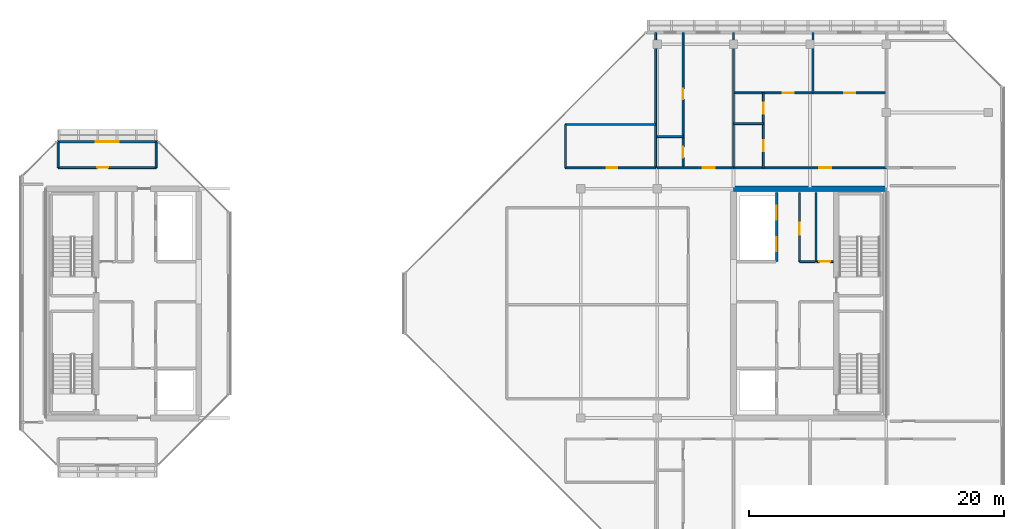
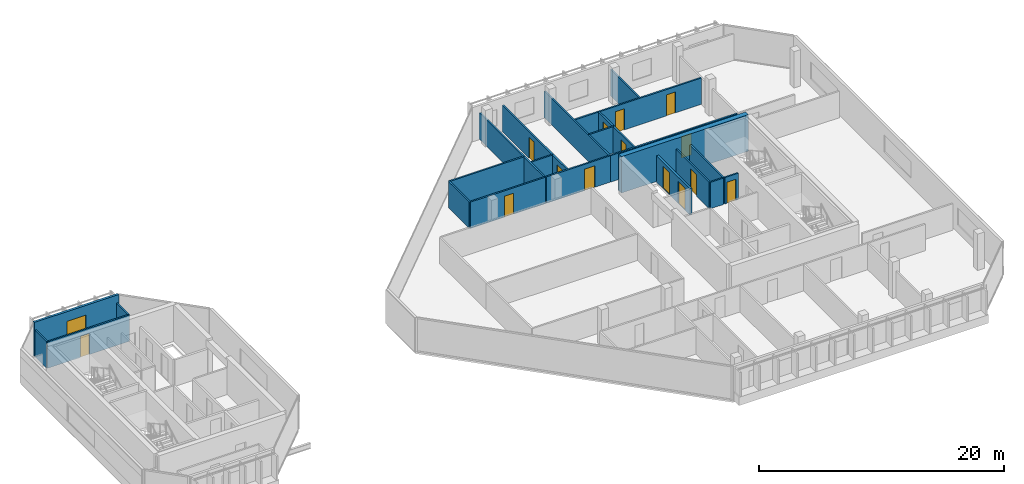
# One storey, part 23 of 28: 23 walls, 14 doors, 1 window, 15 openings.
"""IFC4 building model written with IfcOpenShell, lengths in metres."""

from ifc_helpers import new_model, si_unit, direction, frame, frame_2d, origin, place, context, subcontext, project, spatial, rectangle, extrude, material, layer, layer_set, type_object, element, fill, save


model = new_model("IFC4")

# Units and contexts
model_context = context("Model", 3, precision=1e-05, world=origin(), true_north=direction((0.0, 1.0)))
body_context = subcontext(model_context, "Body", "Model", "MODEL_VIEW")
ifc_project = project(units=[si_unit("LENGTHUNIT", "METRE"), si_unit("AREAUNIT", "SQUARE_METRE"), si_unit("VOLUMEUNIT", "CUBIC_METRE"), si_unit("PLANEANGLEUNIT", "RADIAN"), si_unit("MASSUNIT", "GRAM", prefix="KILO")], contexts=[model_context])

# Site, building, storey
site_placement = place(None, origin())
site = spatial("IfcSite", under=ifc_project, at=site_placement, CompositionType="ELEMENT")
building_placement = place(site_placement, origin())
building = spatial("IfcBuilding", under=site, at=building_placement, Name="Tanjung Sevakor Pilgrim Tower", CompositionType="ELEMENT")
storey_placement = place(building_placement, frame((0.0, 0.0, 242.550048828125)))
storey = spatial("IfcBuildingStorey", under=building, at=storey_placement, Name="L68", CompositionType="ELEMENT", Elevation=242.550048828125)

# Walls
ifc_material_1 = material(Name="Concrete C60/75", Category="concrete")
ifc_layer_1 = layer(ifc_material_1, 0.449951171875)
ifc_layer_set_1 = layer_set([ifc_layer_1], Name="WALL-CW-450")
wall_type_1 = type_object("IfcWallType", Name="WALL-CW-450", PredefinedType="SHEAR", material=ifc_layer_set_1)
wall_1_placement = place(storey_placement, frame((90.0, 42.60009765625, 0.0), z_axis=(0.0, 0.0, 1.0), x_axis=(-1.0, 0.0, 0.0)))
element("IfcWall", 1, at=wall_1_placement, inside=storey, type_object=wall_type_1, Name="L68 E Core North Shear Wall", PredefinedType="SHEAR", context=body_context, shape_type="SweptSolid", body=[
    extrude(rectangle(XDim=12.0, YDim=0.449951171875, at=frame_2d((6.0, 0.0))), origin(), (0.0, 0.0, 1.0), 3.6298828125),
])
ifc_material_2 = material(Name="Concrete C40/50", Category="concrete")
ifc_layer_2 = layer(ifc_material_2, 0.14990234375)
ifc_layer_set_2 = layer_set([ifc_layer_2], Name="WT-COMP-150")
wall_type_2 = type_object("IfcWallType", Name="WT-COMP-150", PredefinedType="SOLIDWALL", material=ifc_layer_set_2)
wall_2_placement = place(storey_placement, frame((84.47998046875, 36.8798828125, 0.0), z_axis=(0.0, 0.0, 1.0), x_axis=(0.0, 1.0, 0.0)))
element("IfcWall", 2, at=wall_2_placement, inside=storey, type_object=wall_type_2, Name="L68 Partition IW-L68-019", PredefinedType="SOLIDWALL", context=body_context, shape_type="SweptSolid", body=[
    extrude(rectangle(XDim=5.420166015625, YDim=0.14990234375, at=frame_2d((2.7099609375, 0.0))), origin(), (0.0, 0.0, 1.0), 2.6298828125),
])

# Wall, opening, door
wall_3_placement = place(storey_placement, frame((84.550048828125, 36.8798828125, 0.0), z_axis=(0.0, 0.0, 1.0), x_axis=(1.0, 0.0, 0.0)))
wall_3 = element("IfcWall", 3, at=wall_3_placement, inside=storey, type_object=wall_type_2, Name="L68 Partition IW-L68-020", PredefinedType="SOLIDWALL", context=body_context, shape_type="SweptSolid", body=[
    extrude(rectangle(XDim=1.280029296875, YDim=0.14990234375, at=frame_2d((0.64013671875, 0.0))), origin(), (0.0, 0.0, 1.0), 2.6298828125),
])
opening_1_placement = place(wall_3_placement, frame((0.179931640625, 0.0, 0.0)))
opening_1 = element("IfcOpeningElement", 4, at=opening_1_placement, cuts=wall_3, Name="Opening ID-FD3", PredefinedType="OPENING", context=body_context, shape_type="SweptSolid", body=[
    extrude(rectangle(XDim=0.85009765625, YDim=2.10009765625, at=frame_2d((0.425048828125, 1.050048828125))), frame((0.0, 0.0849609375, 0.0), z_axis=(0.0, -1.0, 0.0), x_axis=(1.0, 0.0, 0.0)), (0.0, 0.0, 1.0), 0.169921875),
])
ifc_material_3 = material(Name="Fire-Rated Timber", Category="wood")
door_type_1 = type_object("IfcDoorType", Name="DT-FIRE-850", OperationType="NOTDEFINED", PredefinedType="DOOR", material=ifc_material_3)
door_1_placement = place(opening_1_placement, origin())
door_1 = element("IfcDoor", 5, at=door_1_placement, inside=storey, type_object=door_type_1, Name="L68 Service Store Door", OperationType="SINGLE_SWING_RIGHT", OverallHeight=2.10009765625, OverallWidth=0.85009765625, PredefinedType="DOOR", context=body_context, shape_type="SweptSolid", body=[
    extrude(rectangle(XDim=0.85009765625, YDim=2.10009765625, at=frame_2d((0.425048828125, 1.050048828125))), frame((0.0, 0.02490234375, 0.0), z_axis=(0.0, -1.0, 0.0), x_axis=(1.0, 0.0, 0.0)), (0.0, 0.0, 1.0), 0.050048828125),
])
fill(opening_1, door_1)

# Wall
wall_4_placement = place(storey_placement, frame((83.199951171875, 36.8798828125, 0.0), z_axis=(0.0, 0.0, 1.0), x_axis=(1.0, 0.0, 0.0)))
element("IfcWall", 6, at=wall_4_placement, inside=storey, type_object=wall_type_2, Name="L68 Partition IW-L68-021", PredefinedType="SOLIDWALL", context=body_context, shape_type="SweptSolid", body=[
    extrude(rectangle(XDim=1.219970703125, YDim=0.14990234375, at=frame_2d((0.60986328125, 0.0))), origin(), (0.0, 0.0, 1.0), 2.6298828125),
])

# Wall, opening, door
wall_5_placement = place(storey_placement, frame((83.179931640625, 36.8798828125, 0.0), z_axis=(0.0, 0.0, 1.0), x_axis=(0.0, 1.0, 0.0)))
wall_5 = element("IfcWall", 7, at=wall_5_placement, inside=storey, type_object=wall_type_2, Name="L68 Partition IW-L68-022", PredefinedType="SOLIDWALL", context=body_context, shape_type="SweptSolid", body=[
    extrude(rectangle(XDim=5.420166015625, YDim=0.14990234375, at=frame_2d((2.7099609375, 0.0))), origin(), (0.0, 0.0, 1.0), 2.6298828125),
])
opening_2_placement = place(wall_5_placement, frame((2.10009765625, 0.0, 0.0)))
opening_2 = element("IfcOpeningElement", 8, at=opening_2_placement, cuts=wall_5, Name="Opening ID-FD2", PredefinedType="OPENING", context=body_context, shape_type="SweptSolid", body=[
    extrude(rectangle(XDim=0.949951171875, YDim=2.14990234375, at=frame_2d((0.47509765625, 1.074951171875))), frame((0.0, 0.0849609375, 0.0), z_axis=(0.0, -1.0, 0.0), x_axis=(1.0, 0.0, 0.0)), (0.0, 0.0, 1.0), 0.169921875),
])
ifc_material_4 = material(Name="Fire-Rated Timber", Category="wood")
door_type_2 = type_object("IfcDoorType", Name="DT-FIRE-950", OperationType="NOTDEFINED", PredefinedType="DOOR", material=ifc_material_4)
door_2_placement = place(opening_2_placement, origin())
door_2 = element("IfcDoor", 9, at=door_2_placement, inside=storey, type_object=door_type_2, Name="L68 Core Reading Room Door", OperationType="SINGLE_SWING_LEFT", OverallHeight=2.14990234375, OverallWidth=0.949951171875, PredefinedType="DOOR", context=body_context, shape_type="SweptSolid", body=[
    extrude(rectangle(XDim=0.949951171875, YDim=2.14990234375, at=frame_2d((0.47509765625, 1.074951171875))), frame((0.0, 0.02490234375, 0.0), z_axis=(0.0, -1.0, 0.0), x_axis=(1.0, 0.0, 0.0)), (0.0, 0.0, 1.0), 0.050048828125),
])
fill(opening_2, door_2)

wall_6_placement = place(storey_placement, frame((24.949951171875, 44.27001953125, 0.0), z_axis=(0.0, 0.0, 1.0), x_axis=(1.0, 0.0, 0.0)))
wall_6 = element("IfcWall", 10, at=wall_6_placement, inside=storey, type_object=wall_type_2, Name="L68 Partition IW-L68-030", PredefinedType="SOLIDWALL", context=body_context, shape_type="SweptSolid", body=[
    extrude(rectangle(XDim=7.699951171875, YDim=0.14990234375, at=frame_2d((3.85009765625, 0.0))), origin(), (0.0, 0.0, 1.0), 2.6298828125),
])
opening_3_placement = place(wall_6_placement, frame((3.074951171875, 0.0, 0.0)))
opening_3 = element("IfcOpeningElement", 11, at=opening_3_placement, cuts=wall_6, Name="Opening ID-WC1", PredefinedType="OPENING", context=body_context, shape_type="SweptSolid", body=[
    extrude(rectangle(XDim=0.85009765625, YDim=2.10009765625, at=frame_2d((0.425048828125, 1.050048828125))), frame((0.0, 0.0849609375, 0.0), z_axis=(0.0, -1.0, 0.0), x_axis=(1.0, 0.0, 0.0)), (0.0, 0.0, 1.0), 0.169921875),
])
ifc_material_5 = material(Name="Moisture-Resistant Timber", Category="wood")
door_type_3 = type_object("IfcDoorType", Name="DT-INT-850", OperationType="NOTDEFINED", PredefinedType="DOOR", material=ifc_material_5)
door_3_placement = place(opening_3_placement, origin())
door_3 = element("IfcDoor", 12, at=door_3_placement, inside=storey, type_object=door_type_3, Name="L68 West Peak North Observatory Door", OperationType="SINGLE_SWING_RIGHT", OverallHeight=2.10009765625, OverallWidth=0.85009765625, PredefinedType="DOOR", context=body_context, shape_type="SweptSolid", body=[
    extrude(rectangle(XDim=0.85009765625, YDim=2.10009765625, at=frame_2d((0.425048828125, 1.050048828125))), frame((0.0, 0.02490234375, 0.0), z_axis=(0.0, -1.0, 0.0), x_axis=(1.0, 0.0, 0.0)), (0.0, 0.0, 1.0), 0.050048828125),
])
fill(opening_3, door_3)

# Walls
for number, where, z_axis, x_axis, name in (
    (13, (24.949951171875, 44.27001953125, 0.0), (0.0, 0.0, 1.0), (0.0, 1.0, 0.0), "L68 Partition IW-L68-031"),
    (14, (32.64990234375, 44.27001953125, 0.0), (0.0, 0.0, 1.0), (0.0, 1.0, 0.0), "L68 Partition IW-L68-032"),
):
    element("IfcWall", number, at=place(storey_placement, frame(where, z_axis=z_axis, x_axis=x_axis)), inside=storey, type_object=wall_type_2, Name=name, PredefinedType="SOLIDWALL", context=body_context, shape_type="SweptSolid", body=[
        extrude(rectangle(XDim=2.010009765625, YDim=0.14990234375, at=frame_2d((1.0048828125, 0.0))), origin(), (0.0, 0.0, 1.0), 2.6298828125),
    ])

# Wall, opening, door
wall_7_placement = place(storey_placement, frame((64.800048828125, 44.25, 0.0), z_axis=(0.0, 0.0, 1.0), x_axis=(1.0, 0.0, 0.0)))
wall_7 = element("IfcWall", 15, at=wall_7_placement, inside=storey, type_object=wall_type_2, Name="L68 Partition IW-L68-037", PredefinedType="SOLIDWALL", context=body_context, shape_type="SweptSolid", body=[
    extrude(rectangle(XDim=7.079833984375, YDim=0.14990234375, at=frame_2d((3.5400390625, 0.0))), origin(), (0.0, 0.0, 1.0), 2.6298828125),
])
opening_4_placement = place(wall_7_placement, frame((3.22509765625, 0.0, 0.0)))
opening_4 = element("IfcOpeningElement", 16, at=opening_4_placement, cuts=wall_7, Name="Opening ID-WC1", PredefinedType="OPENING", context=body_context, shape_type="SweptSolid", body=[
    extrude(rectangle(XDim=0.85009765625, YDim=2.10009765625, at=frame_2d((0.425048828125, 1.050048828125))), frame((0.0, 0.0849609375, 0.0), z_axis=(0.0, -1.0, 0.0), x_axis=(1.0, 0.0, 0.0)), (0.0, 0.0, 1.0), 0.169921875),
])
door_4_placement = place(opening_4_placement, origin())
door_4 = element("IfcDoor", 17, at=door_4_placement, inside=storey, type_object=door_type_3, Name="L68 NW Crown Library Door", OperationType="SINGLE_SWING_RIGHT", OverallHeight=2.10009765625, OverallWidth=0.85009765625, PredefinedType="DOOR", context=body_context, shape_type="SweptSolid", body=[
    extrude(rectangle(XDim=0.85009765625, YDim=2.10009765625, at=frame_2d((0.425048828125, 1.050048828125))), frame((0.0, 0.02490234375, 0.0), z_axis=(0.0, -1.0, 0.0), x_axis=(1.0, 0.0, 0.0)), (0.0, 0.0, 1.0), 0.050048828125),
])
fill(opening_4, door_4)

# Walls
wall_8_placement = place(storey_placement, frame((64.800048828125, 47.64990234375, 0.0), z_axis=(0.0, 0.0, 1.0), x_axis=(1.0, 0.0, 0.0)))
element("IfcWall", 18, at=wall_8_placement, inside=storey, type_object=wall_type_2, Name="L68 Partition IW-L68-038", PredefinedType="SOLIDWALL", context=body_context, shape_type="SweptSolid", body=[
    extrude(rectangle(XDim=7.079833984375, YDim=0.14990234375, at=frame_2d((3.5400390625, 0.0))), origin(), (0.0, 0.0, 1.0), 2.6298828125),
])
wall_9_placement = place(storey_placement, frame((64.800048828125, 44.25, 0.0), z_axis=(0.0, 0.0, 1.0), x_axis=(0.0, 1.0, 0.0)))
element("IfcWall", 19, at=wall_9_placement, inside=storey, type_object=wall_type_2, Name="L68 Partition IW-L68-039", PredefinedType="SOLIDWALL", context=body_context, shape_type="SweptSolid", body=[
    extrude(rectangle(XDim=3.39990234375, YDim=0.14990234375, at=frame_2d((1.699951171875, 0.0))), origin(), (0.0, 0.0, 1.0), 2.6298828125),
])
for number, where, z_axis, x_axis, name in (
    (20, (71.8798828125, 44.25, 0.0), (0.0, 0.0, 1.0), (0.0, 1.0, 0.0), "L68 Partition IW-L68-040"),
    (21, (78.0, 44.25, 0.0), (0.0, 0.0, 1.0), (0.0, 1.0, 0.0), "L68 Partition IW-L68-056"),
):
    element("IfcWall", number, at=place(storey_placement, frame(where, z_axis=z_axis, x_axis=x_axis)), inside=storey, type_object=wall_type_2, Name=name, PredefinedType="SOLIDWALL", context=body_context, shape_type="SweptSolid", body=[
        extrude(rectangle(XDim=10.610107421875, YDim=0.14990234375, at=frame_2d((5.30517578125, 0.0))), origin(), (0.0, 0.0, 1.0), 2.6298828125),
    ])

# Wall, opening, door
wall_10_placement = place(storey_placement, frame((72.0, 44.25, 0.0), z_axis=(0.0, 0.0, 1.0), x_axis=(1.0, 0.0, 0.0)))
wall_10 = element("IfcWall", 22, at=wall_10_placement, inside=storey, type_object=wall_type_2, Name="L68 Partition IW-L68-059", PredefinedType="SOLIDWALL", context=body_context, shape_type="SweptSolid", body=[
    extrude(rectangle(XDim=6.0, YDim=0.14990234375, at=frame_2d((3.0, 0.0))), origin(), (0.0, 0.0, 1.0), 2.6298828125),
])
opening_5_placement = place(wall_10_placement, frame((3.5849609375, 0.0, 0.0)))
opening_5 = element("IfcOpeningElement", 23, at=opening_5_placement, cuts=wall_10, Name="Opening ID-FD2", PredefinedType="OPENING", context=body_context, shape_type="SweptSolid", body=[
    extrude(rectangle(XDim=0.949951171875, YDim=2.14990234375, at=frame_2d((0.47509765625, 1.074951171875))), frame((0.0, 0.0849609375, 0.0), z_axis=(0.0, -1.0, 0.0), x_axis=(1.0, 0.0, 0.0)), (0.0, 0.0, 1.0), 0.169921875),
])
door_5_placement = place(opening_5_placement, origin())
door_5 = element("IfcDoor", 24, at=door_5_placement, inside=storey, type_object=door_type_2, Name="Hostel Quad Entrance", OperationType="SINGLE_SWING_LEFT", OverallHeight=2.14990234375, OverallWidth=0.949951171875, PredefinedType="DOOR", context=body_context, shape_type="SweptSolid", body=[
    extrude(rectangle(XDim=0.949951171875, YDim=2.14990234375, at=frame_2d((0.47509765625, 1.074951171875))), frame((0.0, 0.02490234375, 0.0), z_axis=(0.0, -1.0, 0.0), x_axis=(1.0, 0.0, 0.0)), (0.0, 0.0, 1.0), 0.050048828125),
])
fill(opening_5, door_5)

wall_11_placement = place(storey_placement, frame((78.0, 44.25, 0.0), z_axis=(0.0, 0.0, 1.0), x_axis=(1.0, 0.0, 0.0)))
wall_11 = element("IfcWall", 25, at=wall_11_placement, inside=storey, type_object=wall_type_2, Name="L68 Partition IW-L68-064", PredefinedType="SOLIDWALL", context=body_context, shape_type="SweptSolid", body=[
    extrude(rectangle(XDim=12.0, YDim=0.14990234375, at=frame_2d((6.0, 0.0))), origin(), (0.0, 0.0, 1.0), 2.6298828125),
])
opening_6_placement = place(wall_11_placement, frame((6.739990234375, 0.0, 0.0)))
opening_6 = element("IfcOpeningElement", 26, at=opening_6_placement, cuts=wall_11, Name="Opening ID-FD2", PredefinedType="OPENING", context=body_context, shape_type="SweptSolid", body=[
    extrude(rectangle(XDim=0.949951171875, YDim=2.14990234375, at=frame_2d((0.47509765625, 1.074951171875))), frame((0.0, 0.0849609375, 0.0), z_axis=(0.0, -1.0, 0.0), x_axis=(1.0, 0.0, 0.0)), (0.0, 0.0, 1.0), 0.169921875),
])
door_6_placement = place(opening_6_placement, origin())
door_6 = element("IfcDoor", 27, at=door_6_placement, inside=storey, type_object=door_type_2, Name="Suite Entrance", OperationType="SINGLE_SWING_RIGHT", OverallHeight=2.14990234375, OverallWidth=0.949951171875, PredefinedType="DOOR", context=body_context, shape_type="SweptSolid", body=[
    extrude(rectangle(XDim=0.949951171875, YDim=2.14990234375, at=frame_2d((0.47509765625, 1.074951171875))), frame((0.0, 0.02490234375, 0.0), z_axis=(0.0, -1.0, 0.0), x_axis=(1.0, 0.0, 0.0)), (0.0, 0.0, 1.0), 0.050048828125),
])
fill(opening_6, door_6)

# Wall, opening, window
ifc_material_6 = material(Name="Precast concrete C45/55", Category="concrete")
ifc_layer_3 = layer(ifc_material_6, 0.219970703125)
ifc_layer_set_3 = layer_set([ifc_layer_3], Name="WT-EW-STN4")
wall_type_3 = type_object("IfcWallType", Name="WT-EW-STN4", PredefinedType="SOLIDWALL", material=ifc_layer_set_3)
wall_12_placement = place(storey_placement, frame((32.804443359375, 46.2900390625, 0.0), z_axis=(0.0, 0.0, 1.0), x_axis=(-1.0, 0.0, 0.0)))
wall_12 = element("IfcWall", 28, at=wall_12_placement, inside=storey, type_object=wall_type_3, Name="L68 WEST Exterior Wall 5", PredefinedType="SOLIDWALL", context=body_context, shape_type="SweptSolid", body=[
    extrude(rectangle(XDim=7.958740234375, YDim=0.219970703125, at=frame_2d((3.9794921875, 0.0))), origin(), (0.0, 0.0, 1.0), 3.409912109375),
])
opening_7_placement = place(wall_12_placement, frame((3.1044921875, 0.0, 0.780029296875)))
opening_7 = element("IfcOpeningElement", 29, at=opening_7_placement, cuts=wall_12, Name="Opening WN-Z3-1660", PredefinedType="OPENING", context=body_context, shape_type="SweptSolid", body=[
    extrude(rectangle(XDim=1.800048828125, YDim=1.659912109375, at=frame_2d((0.89990234375, 0.830078125))), frame((0.0, 0.119873046875, 0.0), z_axis=(0.0, -1.0, 0.0), x_axis=(1.0, 0.0, 0.0)), (0.0, 0.0, 1.0), 0.239990234375),
])
ifc_material_7 = material(Name="Thermally Broken Aluminium and Low-E Glass", Category="aluminium")
window_type = type_object("IfcWindowType", Name="WTYP-WN-Z3-1660", PartitioningType="DOUBLE_PANEL_VERTICAL", PredefinedType="WINDOW", material=ifc_material_7)
window_placement = place(opening_7_placement, origin())
window = element("IfcWindow", 30, at=window_placement, inside=storey, type_object=window_type, Name="L68 Facade Window 01", OverallHeight=1.659912109375, OverallWidth=1.800048828125, PartitioningType="SINGLE_PANEL", PredefinedType="WINDOW", context=body_context, shape_type="SweptSolid", body=[
    extrude(rectangle(XDim=1.800048828125, YDim=1.659912109375, at=frame_2d((0.89990234375, 0.830078125))), frame((0.0, 0.030029296875, 0.0), z_axis=(0.0, -1.0, 0.0), x_axis=(1.0, 0.0, 0.0)), (0.0, 0.0, 1.0), 0.06005859375),
])
fill(opening_7, window)

# Wall, openings, doors
ifc_material_8 = material(Name="Concrete C40/50", Category="concrete")
ifc_layer_4 = layer(ifc_material_8, 0.199951171875)
ifc_layer_set_4 = layer_set([ifc_layer_4], Name="WT-FPRT-200")
wall_type_4 = type_object("IfcWallType", Name="WT-FPRT-200", PredefinedType="SOLIDWALL", material=ifc_layer_set_4)
wall_13_placement = place(storey_placement, frame((81.3798828125, 36.8798828125, 0.0), z_axis=(0.0, 0.0, 1.0), x_axis=(0.0, 1.0, 0.0)))
wall_13 = element("IfcWall", 31, at=wall_13_placement, inside=storey, type_object=wall_type_4, Name="L68 Partition IW-L68-024", PredefinedType="SOLIDWALL", context=body_context, shape_type="SweptSolid", body=[
    extrude(rectangle(XDim=5.420166015625, YDim=0.199951171875, at=frame_2d((2.7099609375, 0.0))), origin(), (0.0, 0.0, 1.0), 2.6298828125),
])
opening_8_placement = place(wall_13_placement, frame((0.800048828125, 0.0, 0.0)))
opening_8 = element("IfcOpeningElement", 32, at=opening_8_placement, cuts=wall_13, Name="Opening LD-1100", PredefinedType="OPENING", context=body_context, shape_type="SweptSolid", body=[
    extrude(rectangle(XDim=1.10009765625, YDim=2.199951171875, at=frame_2d((0.550048828125, 1.10009765625))), frame((0.0, 0.10986328125, 0.0), z_axis=(0.0, -1.0, 0.0), x_axis=(1.0, 0.0, 0.0)), (0.0, 0.0, 1.0), 0.219970703125),
])
opening_9_placement = place(wall_13_placement, frame((3.300048828125, 0.0, 0.0)))
opening_9 = element("IfcOpeningElement", 33, at=opening_9_placement, cuts=wall_13, Name="Opening LD-1100", PredefinedType="OPENING", context=body_context, shape_type="SweptSolid", body=[
    extrude(rectangle(XDim=1.10009765625, YDim=2.199951171875, at=frame_2d((0.550048828125, 1.10009765625))), frame((0.0, 0.10986328125, 0.0), z_axis=(0.0, -1.0, 0.0), x_axis=(1.0, 0.0, 0.0)), (0.0, 0.0, 1.0), 0.219970703125),
])
ifc_material_9 = material(Name="Brushed Stainless Steel S355J2", Category="steel")
door_type_4 = type_object("IfcDoorType", Name="DT-LIFT-1100", OperationType="SLIDING_TO_LEFT", PredefinedType="DOOR", material=ifc_material_9)
door_7_placement = place(opening_8_placement, origin())
door_7 = element("IfcDoor", 34, at=door_7_placement, inside=storey, type_object=door_type_4, Name="LD-PLH1-E", OperationType="SLIDING_TO_LEFT", OverallHeight=2.199951171875, OverallWidth=1.10009765625, PredefinedType="DOOR", context=body_context, shape_type="SweptSolid", body=[
    extrude(rectangle(XDim=1.10009765625, YDim=2.199951171875, at=frame_2d((0.550048828125, 1.10009765625))), frame((0.0, 0.02490234375, 0.0), z_axis=(0.0, -1.0, 0.0), x_axis=(1.0, 0.0, 0.0)), (0.0, 0.0, 1.0), 0.050048828125),
])
fill(opening_8, door_7)
door_8_placement = place(opening_9_placement, origin())
door_8 = element("IfcDoor", 35, at=door_8_placement, inside=storey, type_object=door_type_4, Name="LD-PLH2-E", OperationType="SLIDING_TO_RIGHT", OverallHeight=2.199951171875, OverallWidth=1.10009765625, PredefinedType="DOOR", context=body_context, shape_type="SweptSolid", body=[
    extrude(rectangle(XDim=1.10009765625, YDim=2.199951171875, at=frame_2d((0.550048828125, 1.10009765625))), frame((0.0, 0.02490234375, 0.0), z_axis=(0.0, -1.0, 0.0), x_axis=(1.0, 0.0, 0.0)), (0.0, 0.0, 1.0), 0.050048828125),
])
fill(opening_9, door_8)

# Wall
ifc_material_10 = material(Name="Gypsum Board Partition", Category="gypsum board")
ifc_layer_5 = layer(ifc_material_10, 0.14990234375)
ifc_layer_set_5 = layer_set([ifc_layer_5], Name="WT-PART-150")
wall_type_5 = type_object("IfcWallType", Name="WT-PART-150", PredefinedType="PARTITIONING", material=ifc_layer_set_5)
wall_14_placement = place(storey_placement, frame((72.0, 46.699951171875, 0.0), z_axis=(0.0, 0.0, 1.0), x_axis=(1.0, 0.0, 0.0)))
element("IfcWall", 36, at=wall_14_placement, inside=storey, type_object=wall_type_5, Name="L68 Partition IW-L68-057", PredefinedType="PARTITIONING", context=body_context, shape_type="SweptSolid", body=[
    extrude(rectangle(XDim=2.0400390625, YDim=0.14990234375, at=frame_2d((1.02001953125, 0.0))), origin(), (0.0, 0.0, 1.0), 2.6298828125),
])

# Wall, openings, doors
wall_15_placement = place(storey_placement, frame((74.0400390625, 44.25, 0.0), z_axis=(0.0, 0.0, 1.0), x_axis=(0.0, 1.0, 0.0)))
wall_15 = element("IfcWall", 37, at=wall_15_placement, inside=storey, type_object=wall_type_5, Name="L68 Partition IW-L68-058", PredefinedType="PARTITIONING", context=body_context, shape_type="SweptSolid", body=[
    extrude(rectangle(XDim=10.610107421875, YDim=0.14990234375, at=frame_2d((5.30517578125, 0.0))), origin(), (0.0, 0.0, 1.0), 2.6298828125),
])
opening_10_placement = place(wall_15_placement, frame((0.800048828125, 0.0, 0.0)))
opening_10 = element("IfcOpeningElement", 38, at=opening_10_placement, cuts=wall_15, Name="Opening ID-WC1", PredefinedType="OPENING", context=body_context, shape_type="SweptSolid", body=[
    extrude(rectangle(XDim=0.85009765625, YDim=2.10009765625, at=frame_2d((0.425048828125, 1.050048828125))), frame((0.0, 0.0849609375, 0.0), z_axis=(0.0, -1.0, 0.0), x_axis=(1.0, 0.0, 0.0)), (0.0, 0.0, 1.0), 0.169921875),
])
opening_11_placement = place(wall_15_placement, frame((5.3740234375, 0.0, 0.0)))
opening_11 = element("IfcOpeningElement", 39, at=opening_11_placement, cuts=wall_15, Name="Opening ID-WC1", PredefinedType="OPENING", context=body_context, shape_type="SweptSolid", body=[
    extrude(rectangle(XDim=0.85009765625, YDim=2.10009765625, at=frame_2d((0.425048828125, 1.050048828125))), frame((0.0, 0.0849609375, 0.0), z_axis=(0.0, -1.0, 0.0), x_axis=(1.0, 0.0, 0.0)), (0.0, 0.0, 1.0), 0.169921875),
])
door_9_placement = place(opening_10_placement, origin())
door_9 = element("IfcDoor", 40, at=door_9_placement, inside=storey, type_object=door_type_3, Name="Bathroom Door", OperationType="SINGLE_SWING_LEFT", OverallHeight=2.10009765625, OverallWidth=0.85009765625, PredefinedType="DOOR", context=body_context, shape_type="SweptSolid", body=[
    extrude(rectangle(XDim=0.85009765625, YDim=2.10009765625, at=frame_2d((0.425048828125, 1.050048828125))), frame((0.0, 0.02490234375, 0.0), z_axis=(0.0, -1.0, 0.0), x_axis=(1.0, 0.0, 0.0)), (0.0, 0.0, 1.0), 0.050048828125),
])
fill(opening_10, door_9)
door_10_placement = place(opening_11_placement, origin())
door_10 = element("IfcDoor", 41, at=door_10_placement, inside=storey, type_object=door_type_3, Name="Study Nook Door", OperationType="SINGLE_SWING_RIGHT", OverallHeight=2.10009765625, OverallWidth=0.85009765625, PredefinedType="DOOR", context=body_context, shape_type="SweptSolid", body=[
    extrude(rectangle(XDim=0.85009765625, YDim=2.10009765625, at=frame_2d((0.425048828125, 1.050048828125))), frame((0.0, 0.02490234375, 0.0), z_axis=(0.0, -1.0, 0.0), x_axis=(1.0, 0.0, 0.0)), (0.0, 0.0, 1.0), 0.050048828125),
])
fill(opening_11, door_10)

# Wall
wall_16_placement = place(storey_placement, frame((78.0, 47.720703125, 0.0), z_axis=(0.0, 0.0, 1.0), x_axis=(1.0, 0.0, 0.0)))
element("IfcWall", 42, at=wall_16_placement, inside=storey, type_object=wall_type_5, Name="L68 Partition IW-L68-060", PredefinedType="PARTITIONING", context=body_context, shape_type="SweptSolid", body=[
    extrude(rectangle(XDim=2.35009765625, YDim=0.14990234375, at=frame_2d((1.175048828125, 0.0))), origin(), (0.0, 0.0, 1.0), 2.6298828125),
])

# Wall, openings, doors
wall_17_placement = place(storey_placement, frame((80.35009765625, 44.25, 0.0), z_axis=(0.0, 0.0, 1.0), x_axis=(0.0, 1.0, 0.0)))
wall_17 = element("IfcWall", 43, at=wall_17_placement, inside=storey, type_object=wall_type_5, Name="L68 Partition IW-L68-061", PredefinedType="PARTITIONING", context=body_context, shape_type="SweptSolid", body=[
    extrude(rectangle(XDim=5.88232421875, YDim=0.14990234375, at=frame_2d((2.941162109375, 0.0))), origin(), (0.0, 0.0, 1.0), 2.6298828125),
])
opening_12_placement = place(wall_17_placement, frame((1.310302734375, 0.0, 0.0)))
opening_12 = element("IfcOpeningElement", 44, at=opening_12_placement, cuts=wall_17, Name="Opening ID-WC1", PredefinedType="OPENING", context=body_context, shape_type="SweptSolid", body=[
    extrude(rectangle(XDim=0.85009765625, YDim=2.10009765625, at=frame_2d((0.425048828125, 1.050048828125))), frame((0.0, 0.0849609375, 0.0), z_axis=(0.0, -1.0, 0.0), x_axis=(1.0, 0.0, 0.0)), (0.0, 0.0, 1.0), 0.169921875),
])
opening_13_placement = place(wall_17_placement, frame((4.25146484375, 0.0, 0.0)))
opening_13 = element("IfcOpeningElement", 45, at=opening_13_placement, cuts=wall_17, Name="Opening ID-WC1", PredefinedType="OPENING", context=body_context, shape_type="SweptSolid", body=[
    extrude(rectangle(XDim=0.85009765625, YDim=2.10009765625, at=frame_2d((0.425048828125, 1.050048828125))), frame((0.0, 0.0849609375, 0.0), z_axis=(0.0, -1.0, 0.0), x_axis=(1.0, 0.0, 0.0)), (0.0, 0.0, 1.0), 0.169921875),
])
door_11_placement = place(opening_12_placement, origin())
door_11 = element("IfcDoor", 46, at=door_11_placement, inside=storey, type_object=door_type_3, Name="Suite Kitchenette Door", OperationType="SINGLE_SWING_RIGHT", OverallHeight=2.10009765625, OverallWidth=0.85009765625, PredefinedType="DOOR", context=body_context, shape_type="SweptSolid", body=[
    extrude(rectangle(XDim=0.85009765625, YDim=2.10009765625, at=frame_2d((0.425048828125, 1.050048828125))), frame((0.0, 0.02490234375, 0.0), z_axis=(0.0, -1.0, 0.0), x_axis=(1.0, 0.0, 0.0)), (0.0, 0.0, 1.0), 0.050048828125),
])
fill(opening_12, door_11)
door_12_placement = place(opening_13_placement, origin())
door_12 = element("IfcDoor", 47, at=door_12_placement, inside=storey, type_object=door_type_3, Name="Suite Bathroom Door", OperationType="SINGLE_SWING_LEFT", OverallHeight=2.10009765625, OverallWidth=0.85009765625, PredefinedType="DOOR", context=body_context, shape_type="SweptSolid", body=[
    extrude(rectangle(XDim=0.85009765625, YDim=2.10009765625, at=frame_2d((0.425048828125, 1.050048828125))), frame((0.0, 0.02490234375, 0.0), z_axis=(0.0, -1.0, 0.0), x_axis=(1.0, 0.0, 0.0)), (0.0, 0.0, 1.0), 0.050048828125),
])
fill(opening_13, door_12)

# Wall
wall_18_placement = place(storey_placement, frame((84.239990234375, 50.13232421875, 0.0), z_axis=(0.0, 0.0, 1.0), x_axis=(0.0, 1.0, 0.0)))
element("IfcWall", 48, at=wall_18_placement, inside=storey, type_object=wall_type_5, Name="L68 Partition IW-L68-062", PredefinedType="PARTITIONING", context=body_context, shape_type="SweptSolid", body=[
    extrude(rectangle(XDim=4.727783203125, YDim=0.14990234375, at=frame_2d((2.36376953125, 0.0))), origin(), (0.0, 0.0, 1.0), 2.6298828125),
])

# Wall, openings, doors
wall_19_placement = place(storey_placement, frame((78.0, 50.13232421875, 0.0), z_axis=(0.0, 0.0, 1.0), x_axis=(1.0, 0.0, 0.0)))
wall_19 = element("IfcWall", 49, at=wall_19_placement, inside=storey, type_object=wall_type_5, Name="L68 Partition IW-L68-063", PredefinedType="PARTITIONING", context=body_context, shape_type="SweptSolid", body=[
    extrude(rectangle(XDim=12.0, YDim=0.14990234375, at=frame_2d((6.0, 0.0))), origin(), (0.0, 0.0, 1.0), 2.6298828125),
])
opening_14_placement = place(wall_19_placement, frame((3.8701171875, 0.0, 0.0)))
opening_14 = element("IfcOpeningElement", 50, at=opening_14_placement, cuts=wall_19, Name="Opening ID-WC1", PredefinedType="OPENING", context=body_context, shape_type="SweptSolid", body=[
    extrude(rectangle(XDim=0.85009765625, YDim=2.10009765625, at=frame_2d((0.425048828125, 1.050048828125))), frame((0.0, 0.0849609375, 0.0), z_axis=(0.0, -1.0, 0.0), x_axis=(1.0, 0.0, 0.0)), (0.0, 0.0, 1.0), 0.169921875),
])
opening_15_placement = place(wall_19_placement, frame((8.695068359375, 0.0, 0.0)))
opening_15 = element("IfcOpeningElement", 51, at=opening_15_placement, cuts=wall_19, Name="Opening ID-WC1", PredefinedType="OPENING", context=body_context, shape_type="SweptSolid", body=[
    extrude(rectangle(XDim=0.85009765625, YDim=2.10009765625, at=frame_2d((0.425048828125, 1.050048828125))), frame((0.0, 0.0849609375, 0.0), z_axis=(0.0, -1.0, 0.0), x_axis=(1.0, 0.0, 0.0)), (0.0, 0.0, 1.0), 0.169921875),
])
door_13_placement = place(opening_14_placement, origin())
door_13 = element("IfcDoor", 52, at=door_13_placement, inside=storey, type_object=door_type_3, Name="Suite Bedroom 1 Door", OperationType="SINGLE_SWING_RIGHT", OverallHeight=2.10009765625, OverallWidth=0.85009765625, PredefinedType="DOOR", context=body_context, shape_type="SweptSolid", body=[
    extrude(rectangle(XDim=0.85009765625, YDim=2.10009765625, at=frame_2d((0.425048828125, 1.050048828125))), frame((0.0, 0.02490234375, 0.0), z_axis=(0.0, -1.0, 0.0), x_axis=(1.0, 0.0, 0.0)), (0.0, 0.0, 1.0), 0.050048828125),
])
fill(opening_14, door_13)
door_14_placement = place(opening_15_placement, origin())
door_14 = element("IfcDoor", 53, at=door_14_placement, inside=storey, type_object=door_type_3, Name="Suite Bedroom 2 Door", OperationType="SINGLE_SWING_LEFT", OverallHeight=2.10009765625, OverallWidth=0.85009765625, PredefinedType="DOOR", context=body_context, shape_type="SweptSolid", body=[
    extrude(rectangle(XDim=0.85009765625, YDim=2.10009765625, at=frame_2d((0.425048828125, 1.050048828125))), frame((0.0, 0.02490234375, 0.0), z_axis=(0.0, -1.0, 0.0), x_axis=(1.0, 0.0, 0.0)), (0.0, 0.0, 1.0), 0.050048828125),
])
fill(opening_15, door_14)

save(model, "model.ifc")
